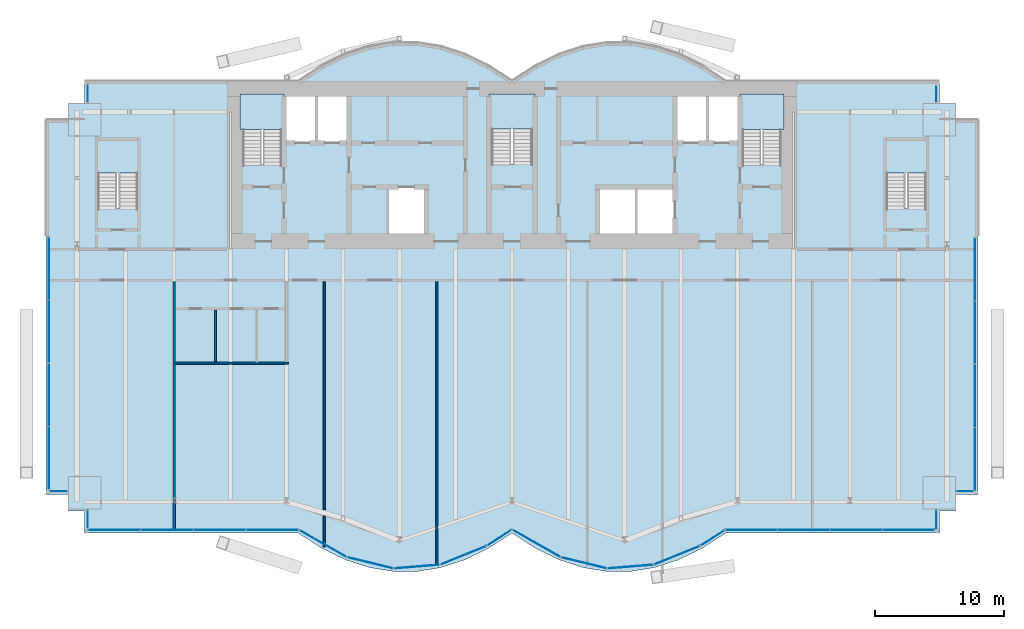
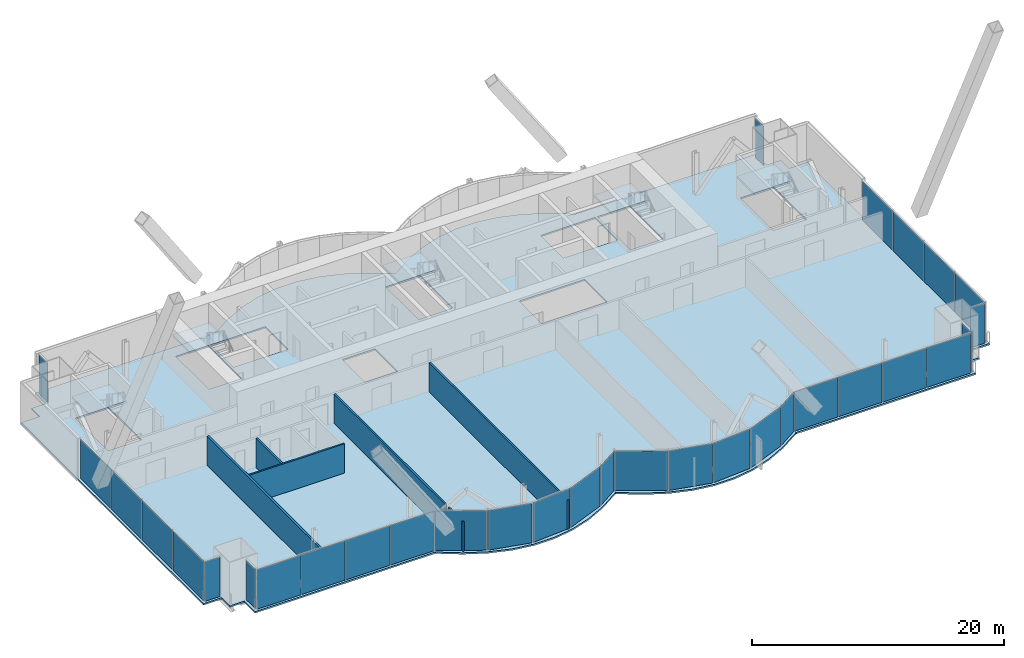
# One storey, part 17 of 24: 32 plates, 6 slabs, 6 walls, 17 elements without a shape of their own.
"""IFC4 building model written with IfcOpenShell, lengths in metres."""

from ifc_helpers import new_model, si_unit, direction, frame, frame_2d, origin, origin_2d, place, context, subcontext, project, spatial, polyline, rectangle, outline, extrude, material, layer, layer_set, type_object, element, aggregate, save


model = new_model("IFC4")

# Units and contexts
model_context = context("Model", 3, precision=1e-05, world=origin(), true_north=direction((0.0, 1.0)))
body_context = subcontext(model_context, "Body", "Model", "MODEL_VIEW")
ifc_project = project(units=[si_unit("LENGTHUNIT", "METRE"), si_unit("AREAUNIT", "SQUARE_METRE"), si_unit("VOLUMEUNIT", "CUBIC_METRE"), si_unit("PLANEANGLEUNIT", "RADIAN"), si_unit("MASSUNIT", "GRAM", prefix="KILO")], contexts=[model_context])

# Site, building, storey
site_placement = place(None, origin())
site = spatial("IfcSite", under=ifc_project, at=site_placement, CompositionType="ELEMENT")
building_placement = place(site_placement, origin())
building = spatial("IfcBuilding", under=site, at=building_placement, Name="Bicima Exchange Tower", CompositionType="ELEMENT")
storey_placement = place(building_placement, frame((0.0, 0.0, 160.89990234375)))
storey = spatial("IfcBuildingStorey", under=building, at=storey_placement, Name="L35", CompositionType="ELEMENT", Elevation=160.89990234375)

# Slab
ifc_material_1 = material(Name="Concrete C40/50", Category="concrete")
ifc_layer_1 = layer(ifc_material_1, 0.14990234375)
ifc_layer_set_1 = layer_set([ifc_layer_1], Name="Concrete C40/50")
slab_type_1 = type_object("IfcSlabType", Name="Composite floor slab 150", PredefinedType="FLOOR", material=ifc_layer_set_1)
slab_1_placement = place(storey_placement, frame((0.0, 0.0, -0.14990234375)))
element("IfcSlab", 1, at=slab_1_placement, inside=storey, type_object=slab_type_1, Name="Floor slab", PredefinedType="FLOOR", context=body_context, shape_type="SweptSolid", body=[
    extrude(outline(polyline([(-36.0, -31.924072265625), (-36.0, -3.0), (-34.300048828125, -3.0), (-34.300048828125, -1.699951171875), (-33.0, -1.699951171875), (-33.0, 0.0), (-16.5, 0.0), (-14.666748046875, 1.185302734375), (-12.833251953125, 2.07421875), (-11.0, 2.666748046875), (-9.166748046875, 2.962890625), (-7.333251953125, 2.962890625), (-5.5, 2.666748046875), (-3.666748046875, 2.07421875), (-1.833251953125, 1.185302734375), (0.0, 0.0), (1.833251953125, 1.185302734375), (3.666748046875, 2.07421875), (5.5, 2.666748046875), (7.333251953125, 2.962890625), (9.166748046875, 2.962890625), (11.0, 2.666748046875), (12.833251953125, 2.07421875), (14.666748046875, 1.185302734375), (16.5, 0.0), (33.0, 0.0), (33.0, -1.699951171875), (34.300048828125, -1.699951171875), (34.300048828125, -3.0), (36.0, -3.0), (36.0, -31.924072265625), (34.300048828125, -31.924072265625), (34.300048828125, -33.22412109375), (33.0, -33.22412109375), (33.0, -34.924072265625), (16.5, -34.924072265625), (14.666748046875, -36.109130859375), (12.833251953125, -36.998046875), (11.0, -37.5908203125), (9.166748046875, -37.886962890625), (7.333251953125, -37.886962890625), (5.5, -37.5908203125), (3.666748046875, -36.998046875), (1.833251953125, -36.109130859375), (0.0, -34.924072265625), (-1.833251953125, -36.109130859375), (-3.666748046875, -36.998046875), (-5.5, -37.5908203125), (-7.333251953125, -37.886962890625), (-9.166748046875, -37.886962890625), (-11.0, -37.5908203125), (-12.833251953125, -36.998046875), (-14.666748046875, -36.109130859375), (-16.5, -34.924072265625), (-33.0, -34.924072265625), (-33.0, -33.22412109375), (-34.300048828125, -33.22412109375), (-34.300048828125, -31.924072265625), (-36.0, -31.924072265625)]), holes=[polyline([(-6.60009765625, -11.800048828125), (-6.60009765625, -8.199951171875), (-9.60009765625, -8.199951171875), (-9.60009765625, -11.800048828125), (-6.60009765625, -11.800048828125)]), polyline([(-31.97509765625, -9.824951171875), (-28.925048828125, -9.824951171875), (-28.925048828125, -4.625), (-31.97509765625, -4.625), (-31.97509765625, -9.824951171875)]), polyline([(-20.800048828125, -6.449951171875), (-17.800048828125, -6.449951171875), (-17.800048828125, -1.199951171875), (-20.800048828125, -1.199951171875), (-20.800048828125, -6.449951171875)]), polyline([(1.574951171875, -6.39990234375), (1.574951171875, -1.199951171875), (-1.574951171875, -1.199951171875), (-1.574951171875, -6.39990234375), (1.574951171875, -6.39990234375)]), polyline([(-12.60009765625, -4.800048828125), (-12.60009765625, -1.199951171875), (-15.10009765625, -1.199951171875), (-17.60009765625, -1.199951171875), (-17.60009765625, -4.800048828125), (-15.10009765625, -4.800048828125), (-12.60009765625, -4.800048828125)]), polyline([(12.60009765625, -8.199951171875), (9.60009765625, -8.199951171875), (6.60009765625, -8.199951171875), (6.60009765625, -11.800048828125), (9.60009765625, -11.800048828125), (12.60009765625, -11.800048828125), (12.60009765625, -8.199951171875)]), polyline([(28.925048828125, -9.824951171875), (31.97509765625, -9.824951171875), (31.97509765625, -4.625), (28.925048828125, -4.625), (28.925048828125, -9.824951171875)]), polyline([(20.800048828125, -6.449951171875), (20.800048828125, -1.199951171875), (17.800048828125, -1.199951171875), (17.800048828125, -6.449951171875), (20.800048828125, -6.449951171875)]), polyline([(17.60009765625, -4.800048828125), (17.60009765625, -1.199951171875), (15.10009765625, -1.199951171875), (12.60009765625, -1.199951171875), (12.60009765625, -4.800048828125), (15.10009765625, -4.800048828125), (17.60009765625, -4.800048828125)])]), origin(), (0.0, 0.0, 1.0), 0.14990234375),
])

# Curtain wall, plates
ifc_material_2 = material(Name="Anodised bronze aluminium", Category="aluminium")
curtain_wall_type_1 = type_object("IfcCurtainWallType", Name="End face glass wall", PredefinedType="NOTDEFINED", material=ifc_material_2)
curtain_wall_1_placement = place(storey_placement, origin())
curtain_wall_1 = element("IfcCurtainWall", 2, at=curtain_wall_1_placement, inside=storey, type_object=curtain_wall_type_1, Name="End face glass wall L35 run 2", PredefinedType="NOTDEFINED")
ifc_material_3 = material(Name="Bronze tinted glass", Category="glass")
ifc_layer_2 = layer(ifc_material_3, 0.031982421875)
ifc_layer_set_2 = layer_set([ifc_layer_2], Name="Bronze tinted glass")
plate_type_1 = type_object("IfcPlateType", Name="End face glass wall glass panel 32", PredefinedType="CURTAIN_PANEL", material=ifc_layer_set_2)
plate_1_placement = place(storey_placement, frame((-35.77001953125, -24.251220703125, 0.0), z_axis=(0.0, 0.0, 1.0), x_axis=(0.0, -1.0, 0.0)))
plate_1 = element("IfcPlate", 3, at=plate_1_placement, type_object=plate_type_1, Name="End face glass wall panel 3.1", PredefinedType="CURTAIN_PANEL", context=body_context, shape_type="SweptSolid", body=[
    extrude(rectangle(XDim=4.82861328125, YDim=0.031982421875, at=origin_2d()), origin(), (0.0, 0.0, 1.0), 3.81005859375),
])
plate_2_placement = place(storey_placement, frame((-35.77001953125, -29.1396484375, 0.0), z_axis=(0.0, 0.0, 1.0), x_axis=(0.0, -1.0, 0.0)))
plate_2 = element("IfcPlate", 4, at=plate_2_placement, type_object=plate_type_1, Name="End face glass wall panel 4.1", PredefinedType="CURTAIN_PANEL", context=body_context, shape_type="SweptSolid", body=[
    extrude(rectangle(XDim=4.82861328125, YDim=0.031982421875, at=origin_2d()), origin(), (0.0, 0.0, 1.0), 3.81005859375),
])

curtain_wall_2_placement = place(storey_placement, origin())
curtain_wall_2 = element("IfcCurtainWall", 5, at=curtain_wall_2_placement, inside=storey, type_object=curtain_wall_type_1, Name="End face glass wall L35 run 19", PredefinedType="NOTDEFINED")
plate_3_placement = place(storey_placement, frame((35.77001953125, -29.2197265625, 0.0), z_axis=(0.0, 0.0, 1.0), x_axis=(0.0, 1.0, 0.0)))
plate_3 = element("IfcPlate", 6, at=plate_3_placement, type_object=plate_type_1, Name="End face glass wall panel 1.1", PredefinedType="CURTAIN_PANEL", context=body_context, shape_type="SweptSolid", body=[
    extrude(rectangle(XDim=4.82861328125, YDim=0.031982421875, at=origin_2d()), origin(), (0.0, 0.0, 1.0), 3.81005859375),
])
plate_4_placement = place(storey_placement, frame((35.77001953125, -24.331298828125, 0.0), z_axis=(0.0, 0.0, 1.0), x_axis=(0.0, 1.0, 0.0)))
plate_4 = element("IfcPlate", 7, at=plate_4_placement, type_object=plate_type_1, Name="End face glass wall panel 2.1", PredefinedType="CURTAIN_PANEL", context=body_context, shape_type="SweptSolid", body=[
    extrude(rectangle(XDim=4.82861328125, YDim=0.031982421875, at=origin_2d()), origin(), (0.0, 0.0, 1.0), 3.81005859375),
])

# Plate
ifc_material_4 = material(Name="Bronze anodised aluminium", Category="aluminium")
ifc_layer_3 = layer(ifc_material_4, 0.031982421875)
ifc_layer_set_3 = layer_set([ifc_layer_3], Name="Bronze anodised aluminium")
plate_type_2 = type_object("IfcPlateType", Name="End face glass wall spandrel panel 32", PredefinedType="CURTAIN_PANEL", material=ifc_layer_set_3)
plate_5_placement = place(storey_placement, frame((-35.77001953125, -14.47412109375, 0.0), z_axis=(0.0, 0.0, 1.0), x_axis=(0.0, -1.0, 0.0)))
plate_5 = element("IfcPlate", 8, at=plate_5_placement, type_object=plate_type_2, Name="End face spandrel wall panel 1.1", PredefinedType="CURTAIN_PANEL", context=body_context, shape_type="SweptSolid", body=[
    extrude(rectangle(XDim=4.82861328125, YDim=0.031982421875, at=origin_2d()), origin(), (0.0, 0.0, 1.0), 3.81005859375),
])

plate_6_placement = place(storey_placement, frame((-35.77001953125, -19.36279296875, 0.0), z_axis=(0.0, 0.0, 1.0), x_axis=(0.0, -1.0, 0.0)))
plate_6 = element("IfcPlate", 9, at=plate_6_placement, type_object=plate_type_2, Name="End face spandrel wall panel 2.1", PredefinedType="CURTAIN_PANEL", context=body_context, shape_type="SweptSolid", body=[
    extrude(rectangle(XDim=4.82861328125, YDim=0.031982421875, at=origin_2d()), origin(), (0.0, 0.0, 1.0), 3.81005859375),
])

aggregate(curtain_wall_1, [plate_5, plate_6, plate_1, plate_2])

plate_7_placement = place(storey_placement, frame((35.77001953125, -19.44287109375, 0.0), z_axis=(0.0, 0.0, 1.0), x_axis=(0.0, 1.0, 0.0)))
plate_7 = element("IfcPlate", 10, at=plate_7_placement, type_object=plate_type_2, Name="End face spandrel wall panel 3.1", PredefinedType="CURTAIN_PANEL", context=body_context, shape_type="SweptSolid", body=[
    extrude(rectangle(XDim=4.82861328125, YDim=0.031982421875, at=origin_2d()), origin(), (0.0, 0.0, 1.0), 3.81005859375),
])

plate_8_placement = place(storey_placement, frame((35.77001953125, -14.55419921875, 0.0), z_axis=(0.0, 0.0, 1.0), x_axis=(0.0, 1.0, 0.0)))
plate_8 = element("IfcPlate", 11, at=plate_8_placement, type_object=plate_type_2, Name="End face spandrel wall panel 4.1", PredefinedType="CURTAIN_PANEL", context=body_context, shape_type="SweptSolid", body=[
    extrude(rectangle(XDim=4.82861328125, YDim=0.031982421875, at=origin_2d()), origin(), (0.0, 0.0, 1.0), 3.81005859375),
])

aggregate(curtain_wall_2, [plate_3, plate_4, plate_7, plate_8])

# Curtain wall, plate
curtain_wall_type_2 = type_object("IfcCurtainWallType", Name="Front glass wall", PredefinedType="NOTDEFINED", material=ifc_material_2)
curtain_wall_3_placement = place(storey_placement, origin())
curtain_wall_3 = element("IfcCurtainWall", 12, at=curtain_wall_3_placement, inside=storey, type_object=curtain_wall_type_2, Name="Front glass wall L35 run 1", PredefinedType="NOTDEFINED")
ifc_layer_4 = layer(ifc_material_3, 0.031982421875)
ifc_layer_set_4 = layer_set([ifc_layer_4], Name="Bronze tinted glass")
plate_type_3 = type_object("IfcPlateType", Name="Front glass wall glass panel 32", PredefinedType="CURTAIN_PANEL", material=ifc_layer_set_4)
plate_9_placement = place(storey_placement, frame((-32.77001953125, -0.965087890625, 0.0), z_axis=(0.0, 0.0, 1.0), x_axis=(0.0, -1.0, 0.0)))
plate_9 = element("IfcPlate", 13, at=plate_9_placement, type_object=plate_type_3, Name="Front glass wall panel 1.1", PredefinedType="CURTAIN_PANEL", context=body_context, shape_type="SweptSolid", body=[
    extrude(rectangle(XDim=1.35009765625, YDim=0.031982421875, at=origin_2d()), origin(), (0.0, 0.0, 1.0), 3.81005859375),
])
aggregate(curtain_wall_3, [plate_9])

curtain_wall_4_placement = place(storey_placement, origin())
curtain_wall_4 = element("IfcCurtainWall", 14, at=curtain_wall_4_placement, inside=storey, type_object=curtain_wall_type_2, Name="Front glass wall L35 run 3", PredefinedType="NOTDEFINED")
plate_10_placement = place(storey_placement, frame((-35.034912109375, -31.694091796875, 0.0), z_axis=(0.0, 0.0, 1.0), x_axis=(1.0, 0.0, 0.0)))
plate_10 = element("IfcPlate", 15, at=plate_10_placement, type_object=plate_type_3, Name="Front glass wall panel 1.1", PredefinedType="CURTAIN_PANEL", context=body_context, shape_type="SweptSolid", body=[
    extrude(rectangle(XDim=1.35009765625, YDim=0.031982421875, at=origin_2d()), origin(), (0.0, 0.0, 1.0), 3.81005859375),
])
aggregate(curtain_wall_4, [plate_10])

curtain_wall_5_placement = place(storey_placement, origin())
curtain_wall_5 = element("IfcCurtainWall", 16, at=curtain_wall_5_placement, inside=storey, type_object=curtain_wall_type_2, Name="Front glass wall L35 run 4", PredefinedType="NOTDEFINED")
plate_11_placement = place(storey_placement, frame((-32.77001953125, -33.85791015625, 0.0), z_axis=(0.0, 0.0, 1.0), x_axis=(0.0, -1.0, 0.0)))
plate_11 = element("IfcPlate", 17, at=plate_11_placement, type_object=plate_type_3, Name="Front glass wall panel 1.1", PredefinedType="CURTAIN_PANEL", context=body_context, shape_type="SweptSolid", body=[
    extrude(rectangle(XDim=1.39208984375, YDim=0.031982421875, at=origin_2d()), origin(), (0.0, 0.0, 1.0), 3.81005859375),
])
aggregate(curtain_wall_5, [plate_11])

# Curtain wall, plates
curtain_wall_6_placement = place(storey_placement, origin())
curtain_wall_6 = element("IfcCurtainWall", 18, at=curtain_wall_6_placement, inside=storey, type_object=curtain_wall_type_2, Name="Front glass wall L35 run 5", PredefinedType="NOTDEFINED")
plate_12_placement = place(storey_placement, frame((-30.705322265625, -34.694091796875, 0.0), z_axis=(0.0, 0.0, 1.0), x_axis=(1.0, 0.0, 0.0)))
plate_12 = element("IfcPlate", 19, at=plate_12_placement, type_object=plate_type_3, Name="Front glass wall panel 1.1", PredefinedType="CURTAIN_PANEL", context=body_context, shape_type="SweptSolid", body=[
    extrude(rectangle(XDim=4.009521484375, YDim=0.031982421875, at=origin_2d()), origin(), (0.0, 0.0, 1.0), 3.81005859375),
])
plate_13_placement = place(storey_placement, frame((-26.6357421875, -34.694091796875, 0.0), z_axis=(0.0, 0.0, 1.0), x_axis=(1.0, 0.0, 0.0)))
plate_13 = element("IfcPlate", 20, at=plate_13_placement, type_object=plate_type_3, Name="Front glass wall panel 2.1", PredefinedType="CURTAIN_PANEL", context=body_context, shape_type="SweptSolid", body=[
    extrude(rectangle(XDim=4.009521484375, YDim=0.031982421875, at=origin_2d()), origin(), (0.0, 0.0, 1.0), 3.81005859375),
])
plate_14_placement = place(storey_placement, frame((-22.56640625, -34.694091796875, 0.0), z_axis=(0.0, 0.0, 1.0), x_axis=(1.0, 0.0, 0.0)))
plate_14 = element("IfcPlate", 21, at=plate_14_placement, type_object=plate_type_3, Name="Front glass wall panel 3.1", PredefinedType="CURTAIN_PANEL", context=body_context, shape_type="SweptSolid", body=[
    extrude(rectangle(XDim=4.009521484375, YDim=0.031982421875, at=origin_2d()), origin(), (0.0, 0.0, 1.0), 3.81005859375),
])
plate_15_placement = place(storey_placement, frame((-18.496826171875, -34.694091796875, 0.0), z_axis=(0.0, 0.0, 1.0), x_axis=(1.0, 0.0, 0.0)))
plate_15 = element("IfcPlate", 22, at=plate_15_placement, type_object=plate_type_3, Name="Front glass wall panel 4.1", PredefinedType="CURTAIN_PANEL", context=body_context, shape_type="SweptSolid", body=[
    extrude(rectangle(XDim=4.009521484375, YDim=0.031982421875, at=origin_2d()), origin(), (0.0, 0.0, 1.0), 3.81005859375),
])
aggregate(curtain_wall_6, [plate_12, plate_13, plate_14, plate_15])

curtain_wall_7_placement = place(storey_placement, origin())
curtain_wall_7 = element("IfcCurtainWall", 23, at=curtain_wall_7_placement, inside=storey, type_object=curtain_wall_type_2, Name="Front glass wall L35 run 6", PredefinedType="NOTDEFINED")
plate_16_placement = place(storey_placement, frame((-14.589599609375, -35.739013671875, 0.0), z_axis=(0.0, 0.0, 1.0), x_axis=(0.869805110681, -0.493395449343, 0.0)))
plate_16 = element("IfcPlate", 24, at=plate_16_placement, type_object=plate_type_3, Name="Front glass wall panel 1.1", PredefinedType="CURTAIN_PANEL", context=body_context, shape_type="SweptSolid", body=[
    extrude(rectangle(XDim=4.1162109375, YDim=0.031982421875, at=origin_2d()), origin(), (0.0, 0.0, 1.0), 3.81005859375),
])
plate_17_placement = place(storey_placement, frame((-10.94775390625, -37.220703125, 0.0), z_axis=(0.0, 0.0, 1.0), x_axis=(0.971830343553, -0.235681529503, 0.0)))
plate_17 = element("IfcPlate", 25, at=plate_17_placement, type_object=plate_type_3, Name="Front glass wall panel 1.1", PredefinedType="CURTAIN_PANEL", context=body_context, shape_type="SweptSolid", body=[
    extrude(rectangle(XDim=3.583251953125, YDim=0.031982421875, at=origin_2d()), origin(), (0.0, 0.0, 1.0), 3.81005859375),
])
plate_18_placement = place(storey_placement, frame((-7.35107421875, -37.51171875, 0.0), z_axis=(0.0, 0.0, 1.0), x_axis=(0.99674744821, 0.080588612633, 0.0)))
plate_18 = element("IfcPlate", 26, at=plate_18_placement, type_object=plate_type_3, Name="Front glass wall panel 1.1", PredefinedType="CURTAIN_PANEL", context=body_context, shape_type="SweptSolid", body=[
    extrude(rectangle(XDim=3.486083984375, YDim=0.031982421875, at=origin_2d()), origin(), (0.0, 0.0, 1.0), 3.81005859375),
])
plate_19_placement = place(storey_placement, frame((-3.750244140625, -36.637451171875, 0.0), z_axis=(0.0, 0.0, 1.0), x_axis=(0.92714396679, 0.374705304, 0.0)))
plate_19 = element("IfcPlate", 27, at=plate_19_placement, type_object=plate_type_3, Name="Front glass wall panel 1.1", PredefinedType="CURTAIN_PANEL", context=body_context, shape_type="SweptSolid", body=[
    extrude(rectangle(XDim=3.771240234375, YDim=0.031982421875, at=origin_2d()), origin(), (0.0, 0.0, 1.0), 3.81005859375),
])
plate_20_placement = place(storey_placement, frame((-0.97314453125, -35.279296875, 0.0), z_axis=(0.0, 0.0, 1.0), x_axis=(0.839798994301, 0.542897457326, 0.0)))
plate_20 = element("IfcPlate", 28, at=plate_20_placement, type_object=plate_type_3, Name="Front glass wall panel 1.1", PredefinedType="CURTAIN_PANEL", context=body_context, shape_type="SweptSolid", body=[
    extrude(rectangle(XDim=2.197509765625, YDim=0.031982421875, at=origin_2d()), origin(), (0.0, 0.0, 1.0), 3.81005859375),
])
aggregate(curtain_wall_7, [plate_16, plate_17, plate_18, plate_19, plate_20])

curtain_wall_8_placement = place(storey_placement, origin())
curtain_wall_8 = element("IfcCurtainWall", 29, at=curtain_wall_8_placement, inside=storey, type_object=curtain_wall_type_2, Name="Front glass wall L35 run 11", PredefinedType="NOTDEFINED")
plate_21_placement = place(storey_placement, frame((1.876220703125, -35.71728515625, 0.0), z_axis=(0.0, 0.0, 1.0), x_axis=(0.869274147378, -0.494330311331, 0.0)))
plate_21 = element("IfcPlate", 30, at=plate_21_placement, type_object=plate_type_3, Name="Front glass wall panel 1.1", PredefinedType="CURTAIN_PANEL", context=body_context, shape_type="SweptSolid", body=[
    extrude(rectangle(XDim=4.197021484375, YDim=0.031982421875, at=origin_2d()), origin(), (0.0, 0.0, 1.0), 3.81005859375),
])
plate_22_placement = place(storey_placement, frame((5.55224609375, -37.220703125, 0.0), z_axis=(0.0, 0.0, 1.0), x_axis=(0.971830343553, -0.235681529503, 0.0)))
plate_22 = element("IfcPlate", 31, at=plate_22_placement, type_object=plate_type_3, Name="Front glass wall panel 1.1", PredefinedType="CURTAIN_PANEL", context=body_context, shape_type="SweptSolid", body=[
    extrude(rectangle(XDim=3.583251953125, YDim=0.031982421875, at=origin_2d()), origin(), (0.0, 0.0, 1.0), 3.81005859375),
])
plate_23_placement = place(storey_placement, frame((9.14892578125, -37.51171875, 0.0), z_axis=(0.0, 0.0, 1.0), x_axis=(0.99674744821, 0.080588612633, 0.0)))
plate_23 = element("IfcPlate", 32, at=plate_23_placement, type_object=plate_type_3, Name="Front glass wall panel 1.1", PredefinedType="CURTAIN_PANEL", context=body_context, shape_type="SweptSolid", body=[
    extrude(rectangle(XDim=3.486083984375, YDim=0.031982421875, at=origin_2d()), origin(), (0.0, 0.0, 1.0), 3.81005859375),
])
plate_24_placement = place(storey_placement, frame((12.749755859375, -36.637451171875, 0.0), z_axis=(0.0, 0.0, 1.0), x_axis=(0.92714396679, 0.374705304, 0.0)))
plate_24 = element("IfcPlate", 33, at=plate_24_placement, type_object=plate_type_3, Name="Front glass wall panel 1.1", PredefinedType="CURTAIN_PANEL", context=body_context, shape_type="SweptSolid", body=[
    extrude(rectangle(XDim=3.771240234375, YDim=0.031982421875, at=origin_2d()), origin(), (0.0, 0.0, 1.0), 3.81005859375),
])
plate_25_placement = place(storey_placement, frame((15.492919921875, -35.30126953125, 0.0), z_axis=(0.0, 0.0, 1.0), x_axis=(0.839791413941, 0.542909183079, 0.0)))
plate_25 = element("IfcPlate", 34, at=plate_25_placement, type_object=plate_type_3, Name="Front glass wall panel 1.1", PredefinedType="CURTAIN_PANEL", context=body_context, shape_type="SweptSolid", body=[
    extrude(rectangle(XDim=2.11669921875, YDim=0.031982421875, at=origin_2d()), origin(), (0.0, 0.0, 1.0), 3.81005859375),
])
aggregate(curtain_wall_8, [plate_21, plate_22, plate_23, plate_24, plate_25])

curtain_wall_9_placement = place(storey_placement, origin())
curtain_wall_9 = element("IfcCurtainWall", 35, at=curtain_wall_9_placement, inside=storey, type_object=curtain_wall_type_2, Name="Front glass wall L35 run 16", PredefinedType="NOTDEFINED")
plate_26_placement = place(storey_placement, frame((18.48681640625, -34.694091796875, 0.0), z_axis=(0.0, 0.0, 1.0), x_axis=(1.0, 0.0, 0.0)))
plate_26 = element("IfcPlate", 36, at=plate_26_placement, type_object=plate_type_3, Name="Front glass wall panel 1.1", PredefinedType="CURTAIN_PANEL", context=body_context, shape_type="SweptSolid", body=[
    extrude(rectangle(XDim=3.989501953125, YDim=0.031982421875, at=origin_2d()), origin(), (0.0, 0.0, 1.0), 3.81005859375),
])
plate_27_placement = place(storey_placement, frame((22.536376953125, -34.694091796875, 0.0), z_axis=(0.0, 0.0, 1.0), x_axis=(1.0, 0.0, 0.0)))
plate_27 = element("IfcPlate", 37, at=plate_27_placement, type_object=plate_type_3, Name="Front glass wall panel 2.1", PredefinedType="CURTAIN_PANEL", context=body_context, shape_type="SweptSolid", body=[
    extrude(rectangle(XDim=3.989501953125, YDim=0.031982421875, at=origin_2d()), origin(), (0.0, 0.0, 1.0), 3.81005859375),
])
plate_28_placement = place(storey_placement, frame((26.585693359375, -34.694091796875, 0.0), z_axis=(0.0, 0.0, 1.0), x_axis=(1.0, 0.0, 0.0)))
plate_28 = element("IfcPlate", 38, at=plate_28_placement, type_object=plate_type_3, Name="Front glass wall panel 3.1", PredefinedType="CURTAIN_PANEL", context=body_context, shape_type="SweptSolid", body=[
    extrude(rectangle(XDim=3.989501953125, YDim=0.031982421875, at=origin_2d()), origin(), (0.0, 0.0, 1.0), 3.81005859375),
])
plate_29_placement = place(storey_placement, frame((30.63525390625, -34.694091796875, 0.0), z_axis=(0.0, 0.0, 1.0), x_axis=(1.0, 0.0, 0.0)))
plate_29 = element("IfcPlate", 39, at=plate_29_placement, type_object=plate_type_3, Name="Front glass wall panel 4.1", PredefinedType="CURTAIN_PANEL", context=body_context, shape_type="SweptSolid", body=[
    extrude(rectangle(XDim=3.989501953125, YDim=0.031982421875, at=origin_2d()), origin(), (0.0, 0.0, 1.0), 3.81005859375),
])
aggregate(curtain_wall_9, [plate_26, plate_27, plate_28, plate_29])

# Curtain wall, plate
curtain_wall_10_placement = place(storey_placement, origin())
curtain_wall_10 = element("IfcCurtainWall", 40, at=curtain_wall_10_placement, inside=storey, type_object=curtain_wall_type_2, Name="Front glass wall L35 run 17", PredefinedType="NOTDEFINED")
plate_30_placement = place(storey_placement, frame((32.77001953125, -33.89794921875, 0.0), z_axis=(0.0, 0.0, 1.0), x_axis=(0.0, 1.0, 0.0)))
plate_30 = element("IfcPlate", 41, at=plate_30_placement, type_object=plate_type_3, Name="Front glass wall panel 1.1", PredefinedType="CURTAIN_PANEL", context=body_context, shape_type="SweptSolid", body=[
    extrude(rectangle(XDim=1.471923828125, YDim=0.031982421875, at=origin_2d()), origin(), (0.0, 0.0, 1.0), 3.81005859375),
])
aggregate(curtain_wall_10, [plate_30])

curtain_wall_11_placement = place(storey_placement, origin())
curtain_wall_11 = element("IfcCurtainWall", 42, at=curtain_wall_11_placement, inside=storey, type_object=curtain_wall_type_2, Name="Front glass wall L35 run 18", PredefinedType="NOTDEFINED")
plate_31_placement = place(storey_placement, frame((34.9951171875, -31.694091796875, 0.0), z_axis=(0.0, 0.0, 1.0), x_axis=(1.0, 0.0, 0.0)))
plate_31 = element("IfcPlate", 43, at=plate_31_placement, type_object=plate_type_3, Name="Front glass wall panel 1.1", PredefinedType="CURTAIN_PANEL", context=body_context, shape_type="SweptSolid", body=[
    extrude(rectangle(XDim=1.27001953125, YDim=0.031982421875, at=origin_2d()), origin(), (0.0, 0.0, 1.0), 3.81005859375),
])
aggregate(curtain_wall_11, [plate_31])

curtain_wall_12_placement = place(storey_placement, origin())
curtain_wall_12 = element("IfcCurtainWall", 44, at=curtain_wall_12_placement, inside=storey, type_object=curtain_wall_type_2, Name="Front glass wall L35 run 20", PredefinedType="NOTDEFINED")
plate_32_placement = place(storey_placement, frame((32.77001953125, -1.0048828125, 0.0), z_axis=(0.0, 0.0, 1.0), x_axis=(0.0, 1.0, 0.0)))
plate_32 = element("IfcPlate", 45, at=plate_32_placement, type_object=plate_type_3, Name="Front glass wall panel 1.1", PredefinedType="CURTAIN_PANEL", context=body_context, shape_type="SweptSolid", body=[
    extrude(rectangle(XDim=1.27001953125, YDim=0.031982421875, at=origin_2d()), origin(), (0.0, 0.0, 1.0), 3.81005859375),
])
aggregate(curtain_wall_12, [plate_32])

# Stair, slab
ifc_material_5 = material(Name="Concrete C50/60", Category="concrete")
stair_type_1 = type_object("IfcStairType", Name="Exit stair", PredefinedType="HALF_TURN_STAIR", material=ifc_material_5)
stair_1_placement = place(storey_placement, origin())
stair_1 = element("IfcStair", 46, at=stair_1_placement, inside=storey, type_object=stair_type_1, Name="L35 West exit stair", PredefinedType="HALF_TURN_STAIR")
ifc_layer_5 = layer(ifc_material_5, 0.199951171875)
ifc_layer_set_5 = layer_set([ifc_layer_5], Name="Concrete C50/60")
slab_type_2 = type_object("IfcSlabType", Name="Stair landing slab", PredefinedType="LANDING", material=ifc_layer_set_5)
slab_2_placement = place(storey_placement, frame((0.0, 0.0, 1.85009765625)))
slab_2 = element("IfcSlab", 47, at=slab_2_placement, type_object=slab_type_2, Name="ST-W landing 1", PredefinedType="LANDING", context=body_context, shape_type="SweptSolid", body=[
    extrude(outline(polyline([(-17.60009765625, -3.75), (-17.60009765625, -1.0), (-21.0, -1.0), (-21.0, -3.75), (-17.60009765625, -3.75)])), origin(), (0.0, 0.0, 1.0), 0.199951171875),
])
aggregate(stair_1, [slab_2])

stair_type_2 = type_object("IfcStairType", Name="Exit stair 1500", PredefinedType="HALF_TURN_STAIR", material=ifc_material_5)
stair_2_placement = place(storey_placement, origin())
stair_2 = element("IfcStair", 48, at=stair_2_placement, inside=storey, type_object=stair_type_2, Name="L35 Central exit stair", PredefinedType="HALF_TURN_STAIR")
slab_3_placement = place(storey_placement, frame((0.0, 0.0, 1.85009765625)))
slab_3 = element("IfcSlab", 49, at=slab_3_placement, type_object=slab_type_2, Name="ST-C landing 1", PredefinedType="LANDING", context=body_context, shape_type="SweptSolid", body=[
    extrude(outline(polyline([(1.77490234375, -3.699951171875), (1.77490234375, -1.0), (-1.77490234375, -1.0), (-1.77490234375, -3.699951171875), (1.77490234375, -3.699951171875)])), origin(), (0.0, 0.0, 1.0), 0.199951171875),
])
aggregate(stair_2, [slab_3])

stair_3_placement = place(storey_placement, origin())
stair_3 = element("IfcStair", 50, at=stair_3_placement, inside=storey, type_object=stair_type_1, Name="L35 East exit stair", PredefinedType="HALF_TURN_STAIR")
slab_4_placement = place(storey_placement, frame((0.0, 0.0, 1.85009765625)))
slab_4 = element("IfcSlab", 51, at=slab_4_placement, type_object=slab_type_2, Name="ST-E landing 1", PredefinedType="LANDING", context=body_context, shape_type="SweptSolid", body=[
    extrude(outline(polyline([(21.0, -3.75), (21.0, -1.0), (17.60009765625, -1.0), (17.60009765625, -3.75), (21.0, -3.75)])), origin(), (0.0, 0.0, 1.0), 0.199951171875),
])
aggregate(stair_3, [slab_4])

stair_4_placement = place(storey_placement, origin())
stair_4 = element("IfcStair", 52, at=stair_4_placement, inside=storey, type_object=stair_type_1, Name="L35 West end exit stair", PredefinedType="HALF_TURN_STAIR")
slab_5_placement = place(storey_placement, frame((0.0, 0.0, 1.85009765625)))
slab_5 = element("IfcSlab", 53, at=slab_5_placement, type_object=slab_type_2, Name="ST-WW landing 1", PredefinedType="LANDING", context=body_context, shape_type="SweptSolid", body=[
    extrude(outline(polyline([(-28.72509765625, -7.125), (-28.72509765625, -4.425048828125), (-32.175048828125, -4.425048828125), (-32.175048828125, -7.125), (-28.72509765625, -7.125)])), origin(), (0.0, 0.0, 1.0), 0.199951171875),
])
aggregate(stair_4, [slab_5])

stair_5_placement = place(storey_placement, origin())
stair_5 = element("IfcStair", 54, at=stair_5_placement, inside=storey, type_object=stair_type_1, Name="L35 East end exit stair", PredefinedType="HALF_TURN_STAIR")
slab_6_placement = place(storey_placement, frame((0.0, 0.0, 1.85009765625)))
slab_6 = element("IfcSlab", 55, at=slab_6_placement, type_object=slab_type_2, Name="ST-EE landing 1", PredefinedType="LANDING", context=body_context, shape_type="SweptSolid", body=[
    extrude(outline(polyline([(32.175048828125, -7.125), (32.175048828125, -4.425048828125), (28.72509765625, -4.425048828125), (28.72509765625, -7.125), (32.175048828125, -7.125)])), origin(), (0.0, 0.0, 1.0), 0.199951171875),
])
aggregate(stair_5, [slab_6])

# Walls
ifc_material_6 = material(Name="Gypsum board partition")
ifc_layer_6 = layer(ifc_material_6, 0.199951171875)
ifc_layer_set_6 = layer_set([ifc_layer_6], Name="Gypsum board partition")
wall_type_1 = type_object("IfcWallType", Name="Fire-rated gypsum partition 200 EI60", PredefinedType="PARTITIONING", material=ifc_layer_set_6)
wall_1_placement = place(storey_placement, frame((-26.10009765625, -34.7099609375, 0.0), z_axis=(0.0, 0.0, 1.0), x_axis=(0.0, 1.0, 0.0)))
element("IfcWall", 56, at=wall_1_placement, inside=storey, type_object=wall_type_1, Name="partition wall 14", PredefinedType="PARTITIONING", context=body_context, shape_type="SweptSolid", body=[
    extrude(rectangle(XDim=19.2099609375, YDim=0.199951171875, at=frame_2d((9.60498046875, 0.0))), origin(), (0.0, 0.0, 1.0), 2.840576171875),
])
ifc_layer_7 = layer(ifc_material_6, 0.14990234375)
ifc_layer_set_7 = layer_set([ifc_layer_7], Name="Gypsum board partition")
wall_type_2 = type_object("IfcWallType", Name="Gypsum partition 150", PredefinedType="PARTITIONING", material=ifc_layer_set_7)
wall_2_placement = place(storey_placement, frame((-26.0, -21.800048828125, 0.0), z_axis=(0.0, 0.0, 1.0), x_axis=(1.0, 0.0, 0.0)))
element("IfcWall", 57, at=wall_2_placement, inside=storey, type_object=wall_type_2, Name="partition wall 1", PredefinedType="PARTITIONING", context=body_context, shape_type="SweptSolid", body=[
    extrude(rectangle(XDim=8.699951171875, YDim=0.14990234375, at=frame_2d((4.35009765625, 0.0))), origin(), (0.0, 0.0, 1.0), 2.840576171875),
])
wall_3_placement = place(storey_placement, frame((-22.89990234375, -21.72509765625, 0.0), z_axis=(0.0, 0.0, 1.0), x_axis=(0.0, 1.0, 0.0)))
element("IfcWall", 58, at=wall_3_placement, inside=storey, type_object=wall_type_2, Name="partition wall 15", PredefinedType="PARTITIONING", context=body_context, shape_type="SweptSolid", body=[
    extrude(rectangle(XDim=4.025146484375, YDim=0.14990234375, at=frame_2d((2.0126953125, 0.0))), origin(), (0.0, 0.0, 1.0), 2.840576171875),
])
wall_4_placement = place(storey_placement, frame((-14.5, -35.9599609375, 0.0), z_axis=(0.0, 0.0, 1.0), x_axis=(0.0, 1.0, 0.0)))
element("IfcWall", 59, at=wall_4_placement, inside=storey, type_object=wall_type_2, Name="partition wall 18", PredefinedType="PARTITIONING", context=body_context, shape_type="SweptSolid", body=[
    extrude(rectangle(XDim=2.3642578125, YDim=0.14990234375, at=frame_2d((1.18212890625, 0.0))), origin(), (0.0, 0.0, 1.0), 2.840576171875),
])
wall_5_placement = place(storey_placement, frame((-14.5, -33.12109375, 0.0), z_axis=(0.0, 0.0, 1.0), x_axis=(0.0, 1.0, 0.0)))
element("IfcWall", 60, at=wall_5_placement, inside=storey, type_object=wall_type_2, Name="partition wall 19", PredefinedType="PARTITIONING", context=body_context, shape_type="SweptSolid", body=[
    extrude(rectangle(XDim=17.62109375, YDim=0.14990234375, at=frame_2d((8.810546875, 0.0))), origin(), (0.0, 0.0, 1.0), 2.840576171875),
])
wall_6_placement = place(storey_placement, frame((-5.800048828125, -37.429931640625, 0.0), z_axis=(0.0, 0.0, 1.0), x_axis=(0.0, 1.0, 0.0)))
element("IfcWall", 61, at=wall_6_placement, inside=storey, type_object=wall_type_2, Name="partition wall 20", PredefinedType="PARTITIONING", context=body_context, shape_type="SweptSolid", body=[
    extrude(rectangle(XDim=21.929931640625, YDim=0.14990234375, at=frame_2d((10.96484375, 0.0))), origin(), (0.0, 0.0, 1.0), 2.840576171875),
])

save(model, "model.ifc")
